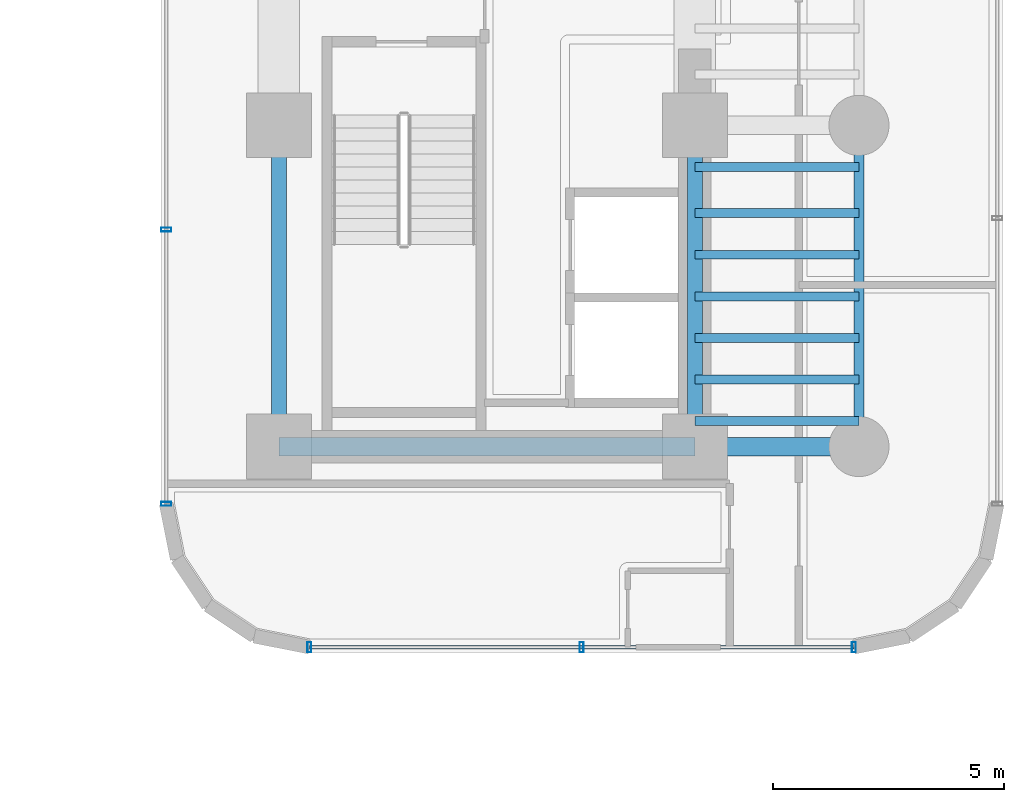
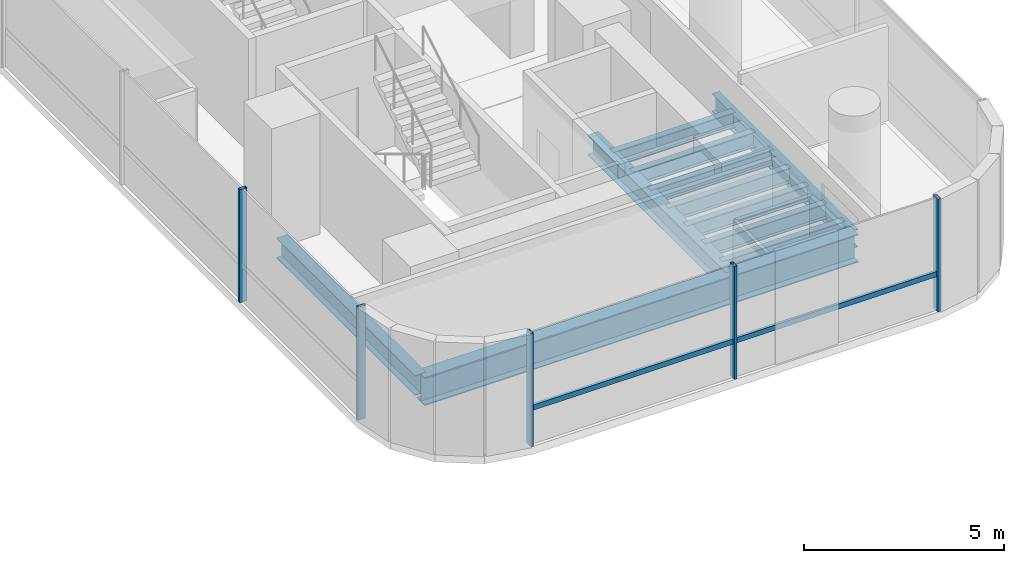
# One storey, part 13 of 41: 12 beams, 6 members, 2 elements without a shape of their own.
"""IFC4 building model written with IfcOpenShell, lengths in metres."""

from ifc_helpers import new_model, si_unit, direction, frame, origin, origin_2d, place, context, subcontext, project, spatial, hollow_rectangle, i_section, extrude, source, transform, mapped, material, material_profile, profile_set, type_object, element, aggregate, save


model = new_model("IFC4")

# Units and contexts
model_context = context("Model", 3, precision=1e-05, world=origin(), true_north=direction((0.0, 1.0)))
body_context = subcontext(model_context, "Body", "Model", "MODEL_VIEW")
ifc_project = project(units=[si_unit("LENGTHUNIT", "METRE"), si_unit("AREAUNIT", "SQUARE_METRE"), si_unit("VOLUMEUNIT", "CUBIC_METRE"), si_unit("PLANEANGLEUNIT", "RADIAN"), si_unit("MASSUNIT", "GRAM", prefix="KILO")], contexts=[model_context])

# Site, building, storey
site_placement = place(None, origin())
site = spatial("IfcSite", under=ifc_project, at=site_placement, CompositionType="ELEMENT")
building_placement = place(site_placement, origin())
building = spatial("IfcBuilding", under=site, at=building_placement, Name="Valdorenza Pilgrim Sanctuary Tower", CompositionType="ELEMENT")
storey_placement = place(building_placement, frame((0.0, 0.0, 59.300048828125)))
storey = spatial("IfcBuildingStorey", under=building, at=storey_placement, Name="L14", CompositionType="ELEMENT", Elevation=59.300048828125)

# Beams
ifc_material_1 = material(Name="Steel ASTM A992 Grade 50", Category="steel")
ifc_material_profile_1 = material_profile(ifc_material_1, i_section(OverallWidth=0.323974609375, OverallDepth=0.611083984375, WebThickness=0.0126953125, FlangeThickness=0.01904296875, at=origin_2d()), Name="W24X104")
ifc_profile_set_1 = profile_set([ifc_material_profile_1], Name="Steel ASTM A992 Grade 50")
beam_type_1 = type_object("IfcBeamType", Name="STR-BM-GRD-W24B", PredefinedType="BEAM", material=ifc_profile_set_1)
shared_shape_1 = source(origin(), body_context, "Body", "SweptSolid", [
    extrude(i_section(OverallWidth=0.323974609375, OverallDepth=0.611083984375, WebThickness=0.0126953125, FlangeThickness=0.01904296875, at=origin_2d()), origin(), (0.0, 0.0, 1.0), 6.949951171875),
])
for number, where, z_axis, x_axis, name in (
    (1, (15.85009765625, -9.550048828125, -0.545654296875), (0.0, 1.0, 0.0), (-1.0, 0.0, 0.0), "L14 Core Tie Girder CB-W-S1M0"),
    (2, (24.85009765625, -9.550048828125, -0.545654296875), (0.0, 1.0, 0.0), (-1.0, 0.0, 0.0), "L14 Core Tie Girder CB-E-S1M0"),
):
    element("IfcBeam", number, at=place(storey_placement, frame(where, z_axis=z_axis, x_axis=x_axis)), inside=storey, type_object=beam_type_1, Name=name, PredefinedType="BEAM", context=body_context, shape_type="MappedRepresentation", body=[
        mapped(shared_shape_1, transform((0.0, 0.0, 0.0), x_axis=(1.0, 0.0, 0.0), y_axis=(0.0, 1.0, 0.0), z_axis=(0.0, 0.0, 1.0), scale=1.0)),
    ])
ifc_material_profile_2 = material_profile(ifc_material_1, i_section(OverallWidth=0.214111328125, OverallDepth=0.549072265625, WebThickness=0.0146484375, FlangeThickness=0.023681640625, at=origin_2d()), Name="W21X93")
ifc_profile_set_2 = profile_set([ifc_material_profile_2], Name="Steel ASTM A992 Grade 50")
beam_type_2 = type_object("IfcBeamType", Name="STR-BM-SPN-W21A", PredefinedType="SPANDREL", material=ifc_profile_set_2)
shared_shape_2 = source(origin(), body_context, "Body", "SweptSolid", [
    extrude(i_section(OverallWidth=0.214111328125, OverallDepth=0.549072265625, WebThickness=0.0146484375, FlangeThickness=0.023681640625, at=origin_2d()), origin(), (0.0, 0.0, 1.0), 6.949951171875),
])
beam_1_placement = place(storey_placement, frame((28.39990234375, -9.550048828125, -0.5146484375), z_axis=(0.0, 1.0, 0.0), x_axis=(-1.0, 0.0, 0.0)))
element("IfcBeam", 3, at=beam_1_placement, inside=storey, type_object=beam_type_2, Name="L14 Spandrel Beam WB-E-S1M0", PredefinedType="SPANDREL", context=body_context, shape_type="MappedRepresentation", body=[
    mapped(shared_shape_2, transform((0.0, 0.0, 0.0), x_axis=(1.0, 0.0, 0.0), y_axis=(0.0, 1.0, 0.0), z_axis=(0.0, 0.0, 1.0), scale=1.0)),
])
ifc_material_profile_3 = material_profile(ifc_material_1, i_section(OverallWidth=0.193115234375, OverallDepth=0.466064453125, WebThickness=0.011474609375, FlangeThickness=0.01904296875, at=origin_2d()), Name="W18X65")
ifc_profile_set_3 = profile_set([ifc_material_profile_3], Name="Steel ASTM A992 Grade 50")
beam_type_3 = type_object("IfcBeamType", Name="STR-BM-JST-W18A", PredefinedType="JOIST", material=ifc_profile_set_3)
shared_shape_3 = source(origin(), body_context, "Body", "SweptSolid", [
    extrude(i_section(OverallWidth=0.193115234375, OverallDepth=0.466064453125, WebThickness=0.011474609375, FlangeThickness=0.01904296875, at=origin_2d()), origin(), (0.0, 0.0, 1.0), 3.5498046875),
])
for number, where, z_axis, x_axis, name in (
    (4, (24.85009765625, -9.0, -0.47314453125), (1.0, 0.0, 0.0), (0.0, 1.0, 0.0), "L14 Composite Floor Joist JST-WB-1"),
    (5, (24.85009765625, -8.10009765625, -0.47314453125), (1.0, 0.0, 0.0), (0.0, 1.0, 0.0), "L14 Composite Floor Joist JST-WB-2"),
    (6, (24.85009765625, -7.199951171875, -0.47314453125), (1.0, 0.0, 0.0), (0.0, 1.0, 0.0), "L14 Composite Floor Joist JST-WB-3"),
    (7, (24.85009765625, -6.300048828125, -0.47314453125), (1.0, 0.0, 0.0), (0.0, 1.0, 0.0), "L14 Composite Floor Joist JST-WB-4"),
    (8, (24.85009765625, -5.39990234375, -0.47314453125), (1.0, 0.0, 0.0), (0.0, 1.0, 0.0), "L14 Composite Floor Joist JST-WB-5"),
    (9, (24.85009765625, -4.5, -0.47314453125), (1.0, 0.0, 0.0), (0.0, 1.0, 0.0), "L14 Composite Floor Joist JST-WB-6"),
    (10, (24.85009765625, -3.5, -0.47314453125), (1.0, 0.0, 0.0), (0.0, 1.0, 0.0), "L14 Composite Floor Joist JST-WB-7"),
):
    element("IfcBeam", number, at=place(storey_placement, frame(where, z_axis=z_axis, x_axis=x_axis)), inside=storey, type_object=beam_type_3, Name=name, PredefinedType="JOIST", context=body_context, shape_type="MappedRepresentation", body=[
        mapped(shared_shape_3, transform((0.0, 0.0, 0.0), x_axis=(1.0, 0.0, 0.0), y_axis=(0.0, 1.0, 0.0), z_axis=(0.0, 0.0, 1.0), scale=1.0)),
    ])
ifc_material_profile_4 = material_profile(ifc_material_1, i_section(OverallWidth=0.39990234375, OverallDepth=0.862060546875, WebThickness=0.019775390625, FlangeThickness=0.032470703125, at=origin_2d()), Name="W33X221")
ifc_profile_set_4 = profile_set([ifc_material_profile_4], Name="Steel ASTM A992 Grade 50")
beam_type_4 = type_object("IfcBeamType", Name="STR-BM-GRD-W33", PredefinedType="BEAM", material=ifc_profile_set_4)
shared_shape_4 = source(origin(), body_context, "Body", "SweptSolid", [
    extrude(i_section(OverallWidth=0.39990234375, OverallDepth=0.862060546875, WebThickness=0.019775390625, FlangeThickness=0.032470703125, at=origin_2d()), origin(), (0.0, 0.0, 1.0), 9.0),
])
beam_2_placement = place(storey_placement, frame((15.85009765625, -9.550048828125, -0.671142578125), z_axis=(1.0, 0.0, 0.0), x_axis=(0.0, 1.0, 0.0)))
element("IfcBeam", 11, at=beam_2_placement, inside=storey, type_object=beam_type_4, Name="L14 Floor Girder CB-XC-S1", PredefinedType="BEAM", context=body_context, shape_type="MappedRepresentation", body=[
    mapped(shared_shape_4, transform((0.0, 0.0, 0.0), x_axis=(1.0, 0.0, 0.0), y_axis=(0.0, 1.0, 0.0), z_axis=(0.0, 0.0, 1.0), scale=1.0)),
])
shared_shape_5 = source(origin(), body_context, "Body", "SweptSolid", [
    extrude(i_section(OverallWidth=0.39990234375, OverallDepth=0.862060546875, WebThickness=0.019775390625, FlangeThickness=0.032470703125, at=origin_2d()), origin(), (0.0, 0.0, 1.0), 3.5498046875),
])
beam_3_placement = place(storey_placement, frame((24.85009765625, -9.550048828125, -0.671142578125), z_axis=(1.0, 0.0, 0.0), x_axis=(0.0, 1.0, 0.0)))
element("IfcBeam", 12, at=beam_3_placement, inside=storey, type_object=beam_type_4, Name="L14 Floor Girder WB-XE-S1", PredefinedType="BEAM", context=body_context, shape_type="MappedRepresentation", body=[
    mapped(shared_shape_5, transform((0.0, 0.0, 0.0), x_axis=(1.0, 0.0, 0.0), y_axis=(0.0, 1.0, 0.0), z_axis=(0.0, 0.0, 1.0), scale=1.0)),
])

# Curtain wall, members
ifc_material_2 = material(Name="Curtain-wall IGU glazing", Category="glass")
curtain_wall_type = type_object("IfcCurtainWallType", Name="CW-SYS-03", PredefinedType="NOTDEFINED", material=ifc_material_2)
curtain_wall_1_placement = place(storey_placement, origin())
curtain_wall_1 = element("IfcCurtainWall", 13, at=curtain_wall_1_placement, inside=storey, type_object=curtain_wall_type, Name="L14 Curtain Wall CW-L14-1-26", PredefinedType="NOTDEFINED")
ifc_material_3 = material(Name="Anodised aluminium AW-6060", Category="aluminium")
ifc_material_profile_5 = material_profile(ifc_material_3, hollow_rectangle(XDim=0.0849609375, YDim=0.219970703125, WallThickness=0.0048828125, at=origin_2d()), Name="ALU-M 220x85x5")
ifc_profile_set_5 = profile_set([ifc_material_profile_5], Name="Anodised aluminium AW-6060")
member_type_1 = type_object("IfcMemberType", Name="CW-MUL-03", PredefinedType="MULLION", material=ifc_profile_set_5)
shared_shape_6 = source(origin(), body_context, "Body", "SweptSolid", [
    extrude(hollow_rectangle(XDim=0.0849609375, YDim=0.219970703125, WallThickness=0.0048828125, at=origin_2d()), origin(), (0.0, 0.0, 1.0), 3.4599609375),
])
member_1_placement = place(storey_placement, frame((28.289306640625, -13.889892578125, 0.0), z_axis=(0.0, 0.0, 1.0), x_axis=(-1.0, 0.0, 0.0)))
member_1 = element("IfcMember", 14, at=member_1_placement, type_object=member_type_1, Name="CW-L14-1-26 Mullion 1", PredefinedType="MULLION", context=body_context, shape_type="MappedRepresentation", body=[
    mapped(shared_shape_6, transform((0.0, 0.0, 0.0), x_axis=(1.0, 0.0, 0.0), y_axis=(0.0, 1.0, 0.0), z_axis=(0.0, 0.0, 1.0), scale=1.0)),
])
member_2_placement = place(storey_placement, frame((22.39990234375, -13.889892578125, 0.0), z_axis=(0.0, 0.0, 1.0), x_axis=(-1.0, 0.0, 0.0)))
member_2 = element("IfcMember", 15, at=member_2_placement, type_object=member_type_1, Name="CW-L14-1-26 Mullion 2", PredefinedType="MULLION", context=body_context, shape_type="MappedRepresentation", body=[
    mapped(shared_shape_6, transform((0.0, 0.0, 0.0), x_axis=(1.0, 0.0, 0.0), y_axis=(0.0, 1.0, 0.0), z_axis=(0.0, 0.0, 1.0), scale=1.0)),
])
member_3_placement = place(storey_placement, frame((16.5107421875, -13.889892578125, 0.0), z_axis=(0.0, 0.0, 1.0), x_axis=(-1.0, 0.0, 0.0)))
member_3 = element("IfcMember", 16, at=member_3_placement, type_object=member_type_1, Name="CW-L14-1-26 Mullion 3", PredefinedType="MULLION", context=body_context, shape_type="MappedRepresentation", body=[
    mapped(shared_shape_6, transform((0.0, 0.0, 0.0), x_axis=(1.0, 0.0, 0.0), y_axis=(0.0, 1.0, 0.0), z_axis=(0.0, 0.0, 1.0), scale=1.0)),
])

curtain_wall_2_placement = place(storey_placement, origin())
curtain_wall_2 = element("IfcCurtainWall", 17, at=curtain_wall_2_placement, inside=storey, type_object=curtain_wall_type, Name="L14 Curtain Wall CW-L14-1-31", PredefinedType="NOTDEFINED")
member_4_placement = place(storey_placement, frame((13.409912109375, -10.789306640625, 0.0), z_axis=(0.0, 0.0, 1.0), x_axis=(0.0, 1.0, 0.0)))
member_4 = element("IfcMember", 18, at=member_4_placement, type_object=member_type_1, Name="CW-L14-1-31 Mullion 1", PredefinedType="MULLION", context=body_context, shape_type="MappedRepresentation", body=[
    mapped(shared_shape_6, transform((0.0, 0.0, 0.0), x_axis=(1.0, 0.0, 0.0), y_axis=(0.0, 1.0, 0.0), z_axis=(0.0, 0.0, 1.0), scale=1.0)),
])
member_5_placement = place(storey_placement, frame((13.409912109375, -4.85595703125, 0.0), z_axis=(0.0, 0.0, 1.0), x_axis=(0.0, 1.0, 0.0)))
member_5 = element("IfcMember", 19, at=member_5_placement, type_object=member_type_1, Name="CW-L14-1-31 Mullion 2", PredefinedType="MULLION", context=body_context, shape_type="MappedRepresentation", body=[
    mapped(shared_shape_6, transform((0.0, 0.0, 0.0), x_axis=(1.0, 0.0, 0.0), y_axis=(0.0, 1.0, 0.0), z_axis=(0.0, 0.0, 1.0), scale=1.0)),
])
aggregate(curtain_wall_2, [member_4, member_5])

# Member
ifc_material_profile_6 = material_profile(ifc_material_3, hollow_rectangle(XDim=0.074951171875, YDim=0.159912109375, WallThickness=0.00390625, at=origin_2d()), Name="ALU-T 160x75x4")
ifc_profile_set_6 = profile_set([ifc_material_profile_6], Name="Anodised aluminium AW-6060")
member_type_2 = type_object("IfcMemberType", Name="CW-TRN-03", PredefinedType="USERDEFINED", material=ifc_profile_set_6)
shared_shape_7 = source(origin(), body_context, "Body", "SweptSolid", [
    extrude(hollow_rectangle(XDim=0.074951171875, YDim=0.159912109375, WallThickness=0.00390625, at=origin_2d()), origin(), (0.0, 0.0, 1.0), 11.778564453125),
])
member_6_placement = place(storey_placement, frame((28.289306640625, -13.889892578125, 1.119873046875), z_axis=(-1.0, 0.0, 0.0), x_axis=(0.0, -1.0, 0.0)))
member_6 = element("IfcMember", 20, at=member_6_placement, type_object=member_type_2, Name="CW-L14-1-26 Transom 1", ObjectType="TRANSOM", PredefinedType="USERDEFINED", context=body_context, shape_type="MappedRepresentation", body=[
    mapped(shared_shape_7, transform((0.0, 0.0, 0.0), x_axis=(1.0, 0.0, 0.0), y_axis=(0.0, 1.0, 0.0), z_axis=(0.0, 0.0, 1.0), scale=1.0)),
])

aggregate(curtain_wall_1, [member_1, member_2, member_3, member_6])

save(model, "model.ifc")
